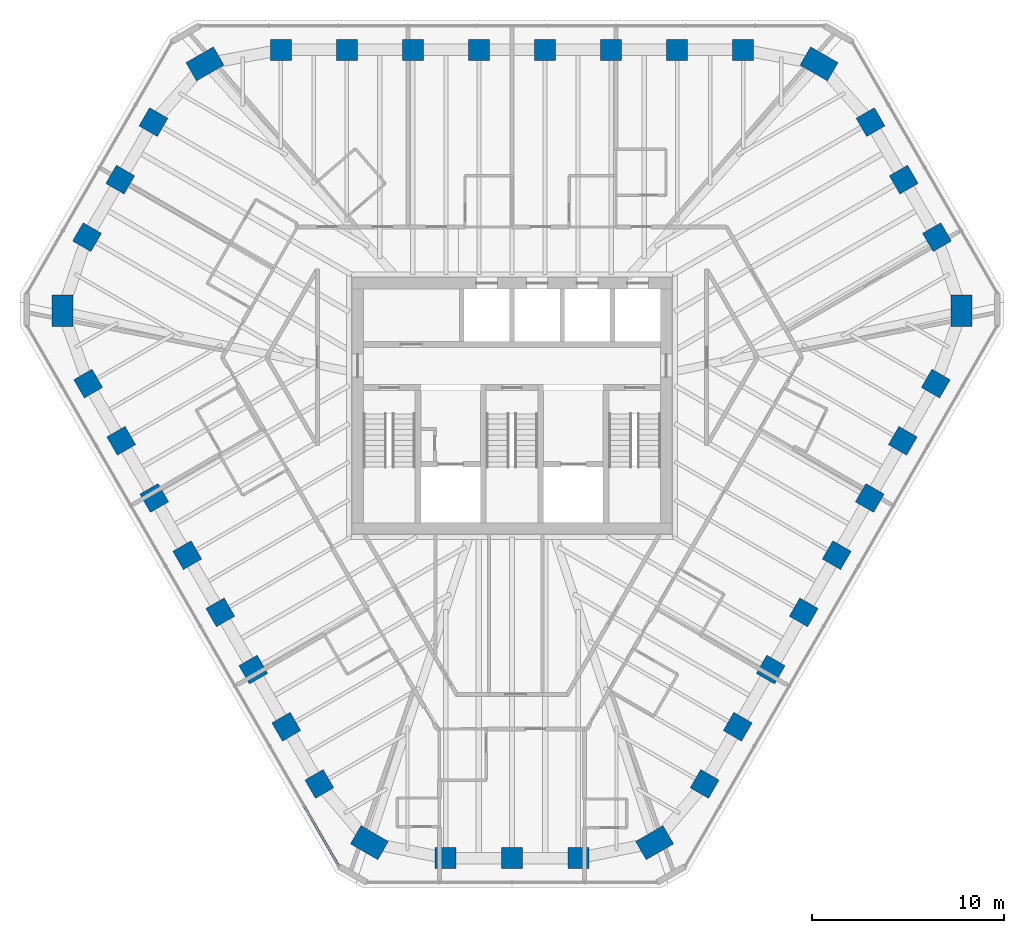
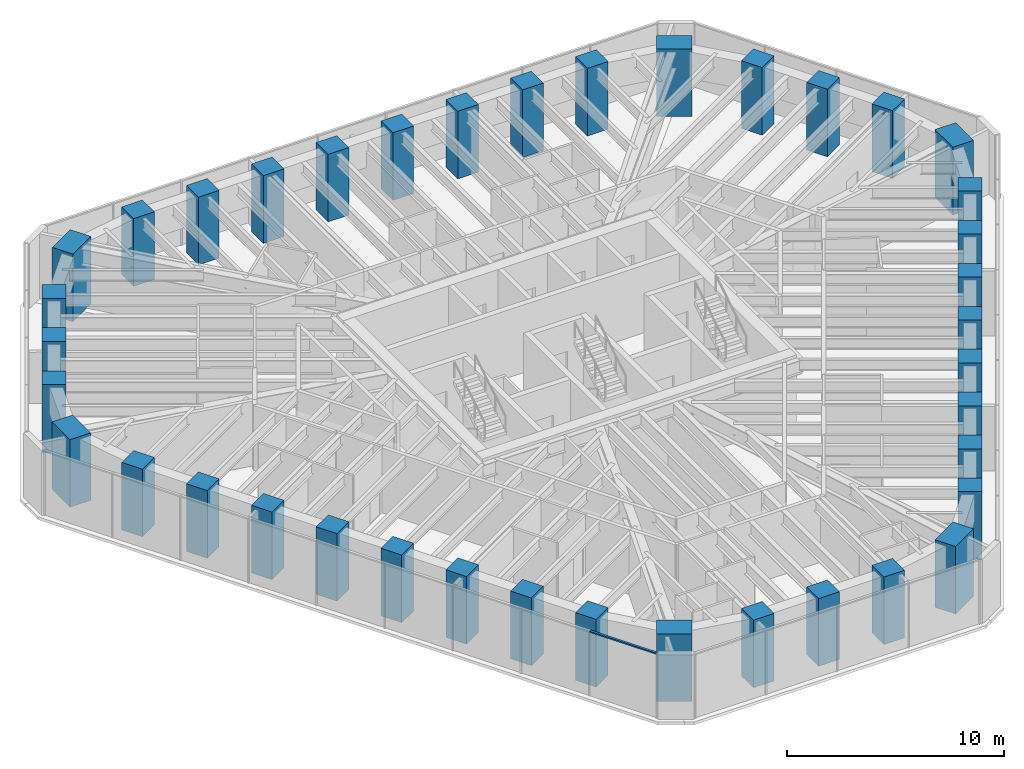
# One storey, part 1 of 14: 39 columns, 1 member, 1 element without a shape of its own.
"""IFC4 building model written with IfcOpenShell, lengths in metres."""

from ifc_helpers import new_model, si_unit, direction, frame, origin, origin_2d, place, context, subcontext, project, spatial, rectangle, extrude, material, material_profile, profile_set, type_object, element, aggregate, save


model = new_model("IFC4")

# Units and contexts
model_context = context("Model", 3, precision=1e-05, world=origin(), true_north=direction((0.0, 1.0)))
body_context = subcontext(model_context, "Body", "Model", "MODEL_VIEW")
ifc_project = project(units=[si_unit("LENGTHUNIT", "METRE"), si_unit("AREAUNIT", "SQUARE_METRE"), si_unit("VOLUMEUNIT", "CUBIC_METRE"), si_unit("PLANEANGLEUNIT", "RADIAN"), si_unit("MASSUNIT", "GRAM", prefix="KILO")], contexts=[model_context])

# Site, building, storey
site_placement = place(None, origin())
site = spatial("IfcSite", under=ifc_project, at=site_placement, CompositionType="ELEMENT")
building_placement = place(site_placement, origin())
building = spatial("IfcBuilding", under=site, at=building_placement, Name="Sandreach Pilgrim Tower", CompositionType="ELEMENT")
storey_placement = place(building_placement, frame((0.0, 0.0, 291.199951171875)))
storey = spatial("IfcBuildingStorey", under=building, at=storey_placement, Name="L73", CompositionType="ELEMENT", Elevation=291.199951171875)

# Columns
ifc_material_1 = material(Name="Concrete 10000 psi", Category="concrete")
ifc_material_profile_1 = material_profile(ifc_material_1, rectangle(XDim=1.10009765625, YDim=1.10009765625, at=origin_2d()), Name="RC1100X1100")
ifc_profile_set_1 = profile_set([ifc_material_profile_1], Name="Concrete 10000 psi")
column_type_1 = type_object("IfcColumnType", Name="Tube column RC1100X1100", PredefinedType="COLUMN", material=ifc_profile_set_1)
for number, where, z_axis, x_axis, name in (
    (1, (-12.0576171875, 18.56640625, 0.0), (0.0, 0.0, 1.0), (0.0, 1.0, 0.0), "COL L73 T01"),
    (2, (-8.612548828125, 18.56640625, 0.0), (0.0, 0.0, 1.0), (0.0, 1.0, 0.0), "COL L73 T02"),
    (3, (-5.16748046875, 18.56640625, 0.0), (0.0, 0.0, 1.0), (0.0, 1.0, 0.0), "COL L73 T03"),
    (4, (-1.722412109375, 18.56640625, 0.0), (0.0, 0.0, 1.0), (0.0, 1.0, 0.0), "COL L73 T04"),
    (5, (1.722412109375, 18.56640625, 0.0), (0.0, 0.0, 1.0), (0.0, 1.0, 0.0), "COL L73 T05"),
    (6, (5.16748046875, 18.56640625, 0.0), (0.0, 0.0, 1.0), (0.0, 1.0, 0.0), "COL L73 T06"),
    (7, (8.612548828125, 18.56640625, 0.0), (0.0, 0.0, 1.0), (0.0, 1.0, 0.0), "COL L73 T07"),
    (8, (12.0576171875, 18.56640625, 0.0), (0.0, 0.0, 1.0), (0.0, 1.0, 0.0), "COL L73 T08"),
    (9, (18.70361328125, 14.80029296875, 0.0), (0.0, 0.0, 1.0), (0.866025403784, 0.5, 0.0), "COL L73 T10"),
    (10, (20.4365234375, 11.799072265625, 0.0), (0.0, 0.0, 1.0), (0.866025403784, 0.5, 0.0), "COL L73 T11"),
    (11, (22.169189453125, 8.7978515625, 0.0), (0.0, 0.0, 1.0), (0.866025403784, 0.5, 0.0), "COL L73 T12"),
    (12, (22.10791015625, 1.158935546875, 0.0), (0.0, 0.0, 1.0), (0.866025403784, -0.5, 0.0), "COL L73 T14"),
    (13, (20.38525390625, -1.824462890625, 0.0), (0.0, 0.0, 1.0), (0.866025403784, -0.5, 0.0), "COL L73 T15"),
    (14, (18.662841796875, -4.80810546875, 0.0), (0.0, 0.0, 1.0), (0.866025403784, -0.5, 0.0), "COL L73 T16"),
    (15, (16.940185546875, -7.79150390625, 0.0), (0.0, 0.0, 1.0), (0.866025403784, -0.5, 0.0), "COL L73 T17"),
    (16, (15.2177734375, -10.77490234375, 0.0), (0.0, 0.0, 1.0), (0.866025403784, -0.5, 0.0), "COL L73 T18"),
    (17, (13.4951171875, -13.758544921875, 0.0), (0.0, 0.0, 1.0), (0.866025403784, -0.5, 0.0), "COL L73 T19"),
    (18, (11.772705078125, -16.741943359375, 0.0), (0.0, 0.0, 1.0), (0.866025403784, -0.5, 0.0), "COL L73 T20"),
    (19, (10.05029296875, -19.725341796875, 0.0), (0.0, 0.0, 1.0), (0.866025403784, -0.5, 0.0), "COL L73 T21"),
    (20, (3.465576171875, -23.59814453125, 0.0), (0.0, 0.0, 1.0), (0.0, -1.0, 0.0), "COL L73 T23"),
    (21, (0.0, -23.59814453125, 0.0), (0.0, 0.0, 1.0), (0.0, -1.0, 0.0), "COL L73 T24"),
    (22, (-3.465576171875, -23.59814453125, 0.0), (0.0, 0.0, 1.0), (0.0, -1.0, 0.0), "COL L73 T25"),
    (23, (-10.05029296875, -19.725341796875, 0.0), (0.0, 0.0, 1.0), (-0.866025403784, -0.5, 0.0), "COL L73 T27"),
    (24, (-11.772705078125, -16.741943359375, 0.0), (0.0, 0.0, 1.0), (-0.866025403784, -0.5, 0.0), "COL L73 T28"),
    (25, (-13.4951171875, -13.758544921875, 0.0), (0.0, 0.0, 1.0), (-0.866025403784, -0.5, 0.0), "COL L73 T29"),
    (26, (-15.2177734375, -10.77490234375, 0.0), (0.0, 0.0, 1.0), (-0.866025403784, -0.5, 0.0), "COL L73 T30"),
    (27, (-16.940185546875, -7.79150390625, 0.0), (0.0, 0.0, 1.0), (-0.866025403784, -0.5, 0.0), "COL L73 T31"),
    (28, (-18.662841796875, -4.80810546875, 0.0), (0.0, 0.0, 1.0), (-0.866025403784, -0.5, 0.0), "COL L73 T32"),
    (29, (-20.38525390625, -1.824462890625, 0.0), (0.0, 0.0, 1.0), (-0.866025403784, -0.5, 0.0), "COL L73 T33"),
    (30, (-22.10791015625, 1.158935546875, 0.0), (0.0, 0.0, 1.0), (-0.866025403784, -0.5, 0.0), "COL L73 T34"),
    (31, (-22.169189453125, 8.7978515625, 0.0), (0.0, 0.0, 1.0), (-0.866025403784, 0.5, 0.0), "COL L73 T36"),
    (32, (-20.4365234375, 11.799072265625, 0.0), (0.0, 0.0, 1.0), (-0.866025403784, 0.5, 0.0), "COL L73 T37"),
    (33, (-18.70361328125, 14.80029296875, 0.0), (0.0, 0.0, 1.0), (-0.866025403784, 0.5, 0.0), "COL L73 T38"),
):
    element("IfcColumn", number, at=place(storey_placement, frame(where, z_axis=z_axis, x_axis=x_axis)), inside=storey, type_object=column_type_1, Name=name, PredefinedType="COLUMN", context=body_context, shape_type="SweptSolid", body=[
        extrude(rectangle(XDim=1.10009765625, YDim=1.10009765625, at=origin_2d()), origin(), (0.0, 0.0, 1.0), 3.800048828125),
    ])
ifc_material_2 = material(Name="Concrete 10000 psi", Category="concrete")
ifc_material_profile_2 = material_profile(ifc_material_2, rectangle(XDim=1.10009765625, YDim=1.64990234375, at=origin_2d()), Name="RC1100X1650")
ifc_profile_set_2 = profile_set([ifc_material_profile_2], Name="Concrete 10000 psi")
column_type_2 = type_object("IfcColumnType", Name="Tube corner pier RC1100X1650", PredefinedType="COLUMN", material=ifc_profile_set_2)
for number, where, z_axis, x_axis, name in (
    (34, (16.0166015625, 17.837158203125, 0.0), (0.0, 0.0, 1.0), (0.5, 0.866025403784, 0.0), "COL L73 T09"),
    (35, (23.455810546875, 4.952392578125, 0.0), (0.0, 0.0, 1.0), (1.0, 0.0, 0.0), "COL L73 T13"),
    (36, (7.439208984375, -22.78955078125, 0.0), (0.0, 0.0, 1.0), (0.5, -0.866025403784, 0.0), "COL L73 T22"),
    (37, (-7.439208984375, -22.78955078125, 0.0), (0.0, 0.0, 1.0), (-0.5, -0.866025403784, 0.0), "COL L73 T26"),
    (38, (-23.455810546875, 4.952392578125, 0.0), (0.0, 0.0, 1.0), (-1.0, 0.0, 0.0), "COL L73 T35"),
    (39, (-16.0166015625, 17.837158203125, 0.0), (0.0, 0.0, 1.0), (-0.5, 0.866025403784, 0.0), "COL L73 T39"),
):
    element("IfcColumn", number, at=place(storey_placement, frame(where, z_axis=z_axis, x_axis=x_axis)), inside=storey, type_object=column_type_2, Name=name, PredefinedType="COLUMN", context=body_context, shape_type="SweptSolid", body=[
        extrude(rectangle(XDim=1.10009765625, YDim=1.64990234375, at=origin_2d()), origin(), (0.0, 0.0, 1.0), 3.800048828125),
    ])

# Curtain wall, member
ifc_material_3 = material(Name="Aluminium framed curtain wall", Category="aluminium")
curtain_wall_type = type_object("IfcCurtainWallType", Name="Suite tower curtain wall", PredefinedType="NOTDEFINED", material=ifc_material_3)
curtain_wall_placement = place(storey_placement, origin())
curtain_wall = element("IfcCurtainWall", 40, at=curtain_wall_placement, inside=storey, type_object=curtain_wall_type, Name="CW-4 L73 SW", PredefinedType="NOTDEFINED")
ifc_material_4 = material(Name="Aluminium extrusion", Category="aluminium")
ifc_material_profile_3 = material_profile(ifc_material_4, rectangle(XDim=0.1201171875, YDim=0.070068359375, at=origin_2d()), Name="CW-4T 120X70")
ifc_profile_set_3 = profile_set([ifc_material_profile_3], Name="Aluminium extrusion")
member_type = type_object("IfcMemberType", Name="CW-4 transom", PredefinedType="USERDEFINED", material=ifc_profile_set_3)
member_placement = place(storey_placement, frame((-9.051025390625, -23.97607421875, 3.60498046875), z_axis=(-0.499997709859, 0.866026725994, 0.0), x_axis=(-0.866026725994, -0.499997709859, 0.0)))
member = element("IfcMember", 41, at=member_placement, type_object=member_type, Name="CW-4 head transom 1", ObjectType="TRANSOM", PredefinedType="USERDEFINED", context=body_context, shape_type="SweptSolid", body=[
    extrude(rectangle(XDim=0.1201171875, YDim=0.070068359375, at=origin_2d()), origin(), (0.0, 0.0, 1.0), 3.53173828125),
])
aggregate(curtain_wall, [member])

save(model, "model.ifc")
